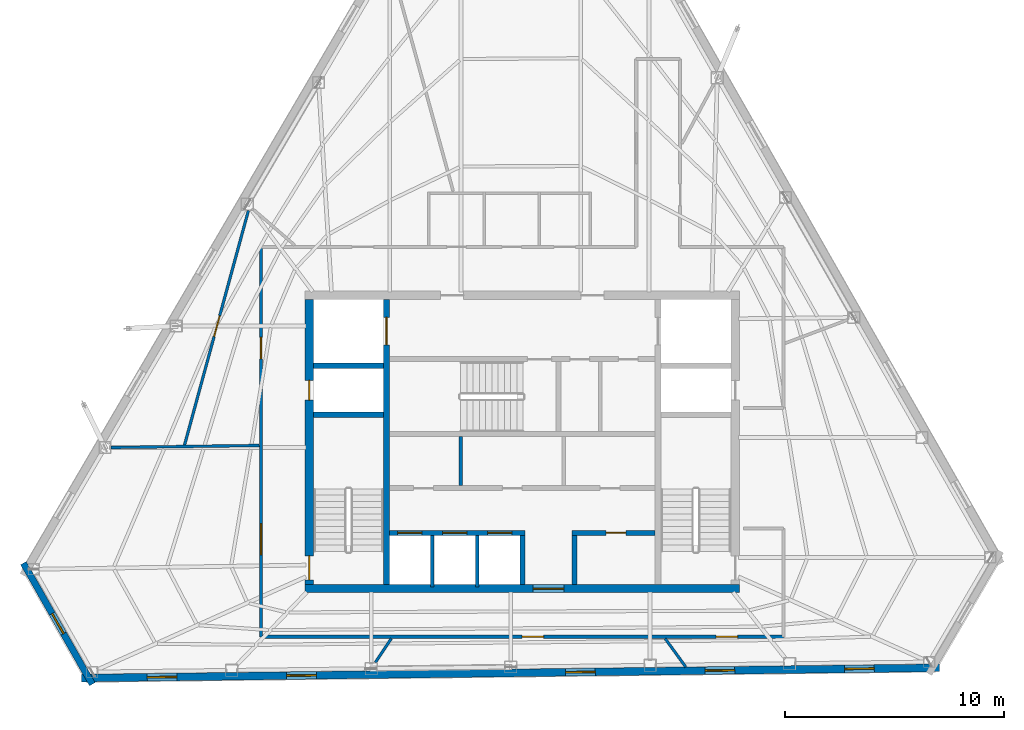
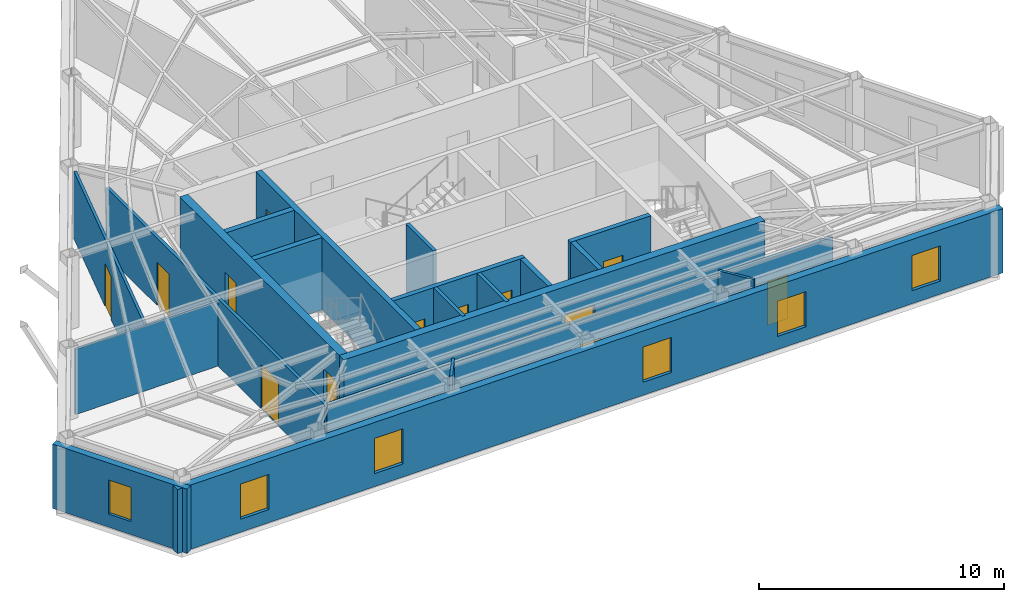
# One storey, part 7 of 10: 20 walls, 13 doors, 6 windows, 19 openings.
"""IFC4 building model written with IfcOpenShell, lengths in metres."""

import ifcopenshell
import ifcopenshell.guid

model = None  # the IFC model being written
_history = None  # IfcOwnerHistory: only IFC2X3 demands one
_inside = {}  # id of a spatial element -> (the spatial element, [elements in it])
_under = {}  # id of a project, library or spatial element -> (it, [spatial elements below it])
_declared = {}  # id of a project -> (the project, [libraries it declares])
_typed = {}  # id of a type object -> (the type object, [elements of that type])
_made_of = {}  # id of a material, layer set ... -> (it, [elements and type objects made of it])


def new_model(schema):
    """Start an empty IFC model of exactly this schema.

    Asked for "IFC4X3", IfcOpenShell would pick the latest addendum, in which some entities
    have other attributes; the version numbers below select the first issue.
    IFC2X3 requires an IfcOwnerHistory on every rooted entity: one is made here for all.
    """
    global model, _history
    if schema == "IFC4X3":
        model = ifcopenshell.file(schema_version=(4, 3, 0, 0))
    else:
        model = ifcopenshell.file(schema=schema)
    _inside.clear()
    _under.clear()
    _declared.clear()
    _typed.clear()
    _made_of.clear()
    _history = None
    if model.schema == "IFC2X3":
        org = make("IfcOrganization", Name="unknown")
        user = make(
            "IfcPersonAndOrganization",
            ThePerson=make("IfcPerson", FamilyName="unknown"),
            TheOrganization=org,
        )
        app = make(
            "IfcApplication",
            ApplicationDeveloper=org,
            Version="unknown",
            ApplicationFullName="unknown",
            ApplicationIdentifier="unknown",
        )
        _history = make(
            "IfcOwnerHistory",
            OwningUser=user,
            OwningApplication=app,
            ChangeAction="ADDED",
            CreationDate=0,
        )
    return model


def make(cls, **values):
    """One entity of the class cls with the attributes given. An attribute that is None is left unset."""
    return model.create_entity(
        cls, **{name: value for name, value in values.items() if value is not None}
    )


def rooted(cls, **values):
    """An entity with a GlobalId (a new one), such as an element, a storey or a relation."""
    return make(cls, GlobalId=ifcopenshell.guid.new(), OwnerHistory=_history, **values)


def si_unit(unit_type, name, prefix=None):
    """IfcSIUnit, for example si_unit("LENGTHUNIT", "METRE", prefix="MILLI")."""
    return make("IfcSIUnit", UnitType=unit_type, Prefix=prefix, Name=name)


def assignment(units):
    """IfcUnitAssignment: the units of a project."""
    return None if units is None else make("IfcUnitAssignment", Units=units)


def point(xyz):
    """IfcCartesianPoint."""
    return None if xyz is None else make("IfcCartesianPoint", Coordinates=xyz)


def direction(xyz):
    """IfcDirection."""
    return None if xyz is None else make("IfcDirection", DirectionRatios=xyz)


def frame(location, z_axis=None, x_axis=None):
    """IfcAxis2Placement3D, a coordinate frame: its origin and axes. An axis left out is left unset."""
    return make(
        "IfcAxis2Placement3D",
        Location=point(location),
        Axis=direction(z_axis),
        RefDirection=direction(x_axis),
    )


def frame_2d(location, x_axis=None):
    """IfcAxis2Placement2D, a coordinate frame in the plane: its origin and x axis."""
    return make(
        "IfcAxis2Placement2D", Location=point(location), RefDirection=direction(x_axis)
    )


def origin():
    """The frame at (0, 0, 0) with its axes left unset."""
    return frame((0.0, 0.0, 0.0))


def place(relative_to, where):
    """IfcLocalPlacement: puts the frame where relative to a parent placement (None: the world)."""
    return make(
        "IfcLocalPlacement", PlacementRelTo=relative_to, RelativePlacement=where
    )


def context(
    kind, dimensions, precision=None, world=None, true_north=None, identifier=None
):
    """IfcGeometricRepresentationContext, for example the 3D "Model" context."""
    return make(
        "IfcGeometricRepresentationContext",
        ContextIdentifier=identifier,
        ContextType=kind,
        CoordinateSpaceDimension=dimensions,
        Precision=precision,
        WorldCoordinateSystem=world,
        TrueNorth=true_north,
    )


def subcontext(parent, identifier, kind, view, scale=None):
    """IfcGeometricRepresentationSubContext, for example "Body" below "Model"."""
    return make(
        "IfcGeometricRepresentationSubContext",
        ContextIdentifier=identifier,
        ContextType=kind,
        ParentContext=parent,
        TargetScale=scale,
        TargetView=view,
    )


def project(units=None, contexts=None):
    """IfcProject with its units and contexts."""
    return rooted(
        "IfcProject",
        Name="project",
        RepresentationContexts=contexts,
        UnitsInContext=assignment(units),
    )


def spatial(cls, under=None, at=None, **own):
    """A site, building, storey or space (cls), placed at a placement, below another one or the project."""
    s = rooted(cls, ObjectPlacement=at, **own)
    if under is not None:
        _under.setdefault(under.id(), (under, []))[1].append(s)
    return s


def profile(cls, at=None, kind="AREA", **sizes):
    """A parametric profile (cls). Its sizes go by their IFC names, for example OverallWidth=200.0."""
    return make(cls, ProfileType=kind, Position=at, **sizes)


def rectangle(**sizes):
    """IfcRectangleProfileDef."""
    return profile("IfcRectangleProfileDef", **sizes)


def extrude(swept, where, along, depth):
    """IfcExtrudedAreaSolid: the profile swept, set in the frame where, extruded along a direction by depth."""
    return make(
        "IfcExtrudedAreaSolid",
        SweptArea=swept,
        Position=where,
        ExtrudedDirection=direction(along),
        Depth=depth,
    )


def shape(context_of_items, identifier, shape_type, items):
    """IfcShapeRepresentation: the items that make up one representation, for example the "Body"."""
    return make(
        "IfcShapeRepresentation",
        ContextOfItems=context_of_items,
        RepresentationIdentifier=identifier,
        RepresentationType=shape_type,
        Items=items,
    )


def material(Name=None, Category=None):
    """IfcMaterial."""
    return make("IfcMaterial", Name=Name, Category=Category)


def layer(
    of_material, thickness, ventilated=None, Name=None, Category=None, Priority=None
):
    """IfcMaterialLayer: one layer of a wall or slab, of a material (None: an air gap)."""
    return make(
        "IfcMaterialLayer",
        Material=of_material,
        LayerThickness=thickness,
        IsVentilated=ventilated,
        Name=Name,
        Category=Category,
        Priority=Priority,
    )


def layer_set(layers, Name=None):
    """IfcMaterialLayerSet."""
    return make("IfcMaterialLayerSet", MaterialLayers=layers, LayerSetName=Name)


def made_of(thing, what):
    """Note that an element or type object is made of a material, layer set ...; save() writes the relation."""
    if what is not None:
        _made_of.setdefault(what.id(), (what, []))[1].append(thing)
    return thing


def type_object(cls, material=None, **own):
    """A type object (cls), such as IfcWallType, which elements share."""
    return made_of(rooted(cls, **own), material)


def element(
    cls,
    number,
    at=None,
    inside=None,
    cuts=None,
    type_object=None,
    material=None,
    context=None,
    identifier="Body",
    shape_type=None,
    held_by="IfcProductDefinitionShape",
    body=None,
    shapes=None,
    **own,
):
    """One element of the class cls, such as IfcWall. Its Tag is "e" and its number.

    at: its placement. inside: the storey or other place that contains it. cuts: it is an
    opening in that element (IfcRelVoidsElement). A single representation is given by context,
    identifier, shape_type and body (its items); several are given by shapes. held_by: the class
    of the entity that holds the representations. save() writes the other relations.
    """
    e = rooted(cls, Tag="e%d" % number, ObjectPlacement=at, **own)
    if body is not None:
        shapes = [shape(context, identifier, shape_type, body)]
    if shapes is not None:
        e.Representation = make(held_by, Representations=shapes)
    if inside is not None:
        _inside.setdefault(inside.id(), (inside, []))[1].append(e)
    if cuts is not None:
        rooted(
            "IfcRelVoidsElement", RelatingBuildingElement=cuts, RelatedOpeningElement=e
        )
    if type_object is not None:
        _typed.setdefault(type_object.id(), (type_object, []))[1].append(e)
    return made_of(e, material)


def fill(opening, filler):
    """IfcRelFillsElement: the door or window that sits in an opening."""
    return rooted(
        "IfcRelFillsElement",
        RelatingOpeningElement=opening,
        RelatedBuildingElement=filler,
    )


def aggregate(whole, parts):
    """IfcRelAggregates: a whole, such as a stair, and the parts it consists of."""
    return rooted("IfcRelAggregates", RelatingObject=whole, RelatedObjects=parts)


def save(model, path):
    """Write the relations noted so far, then the file.

    IfcRelAggregates (storeys below a building ...), IfcRelContainedInSpatialStructure (elements
    in a storey), IfcRelDefinesByType, IfcRelAssociatesMaterial and IfcRelDeclares: one each for
    every whole, place, type object, material and project.
    """
    for whole, parts in _under.values():
        aggregate(whole, parts)
    for where, things in _inside.values():
        rooted(
            "IfcRelContainedInSpatialStructure",
            RelatedElements=things,
            RelatingStructure=where,
        )
    for kind, things in _typed.values():
        rooted("IfcRelDefinesByType", RelatedObjects=things, RelatingType=kind)
    for what, things in _made_of.values():
        rooted("IfcRelAssociatesMaterial", RelatedObjects=things, RelatingMaterial=what)
    for by, libraries in _declared.values():
        rooted("IfcRelDeclares", RelatingContext=by, RelatedDefinitions=libraries)
    model.write(path)


model = new_model("IFC4")

# Units and contexts
model_context = context("Model", 3, precision=1e-05, world=origin(), true_north=direction((0.0, 1.0)))
body_context = subcontext(model_context, "Body", "Model", "MODEL_VIEW")
ifc_project = project(units=[si_unit("LENGTHUNIT", "METRE"), si_unit("AREAUNIT", "SQUARE_METRE"), si_unit("VOLUMEUNIT", "CUBIC_METRE"), si_unit("PLANEANGLEUNIT", "RADIAN"), si_unit("MASSUNIT", "GRAM", prefix="KILO")], contexts=[model_context])

# Site, building, storey
site_placement = place(None, origin())
site = spatial("IfcSite", under=ifc_project, at=site_placement, CompositionType="ELEMENT")
building_placement = place(site_placement, origin())
building = spatial("IfcBuilding", under=site, at=building_placement, Name="Kavelnor Concourse Tower", CompositionType="ELEMENT")
storey_placement = place(building_placement, frame((0.0, 0.0, 289.550048828125)))
storey = spatial("IfcBuildingStorey", under=building, at=storey_placement, Name="L73", CompositionType="ELEMENT", Elevation=289.550048828125)

# Wall, opening, door
ifc_material_1 = material(Name="Concrete C50/60", Category="concrete")
ifc_layer_1 = layer(ifc_material_1, 0.3798828125, Name="Concrete C50/60")
ifc_layer_set_1 = layer_set([ifc_layer_1], Name="Concrete C50/60")
wall_type_1 = type_object("IfcWallType", Name="WL-CORE-Z4-380", PredefinedType="SOLIDWALL", material=ifc_layer_set_1)
wall_1_placement = place(storey_placement, frame((28.10009765625, 9.409912109375, 0.0), z_axis=(0.0, 0.0, 1.0), x_axis=(1.0, 0.0, 0.0)))
wall_1 = element("IfcWall", 1, at=wall_1_placement, inside=storey, type_object=wall_type_1, Name="L73 Central Core South Shear Wall", PredefinedType="SOLIDWALL", context=body_context, shape_type="SweptSolid", body=[
    extrude(rectangle(XDim=19.7998046875, YDim=0.3798828125, at=frame_2d((9.89990234375, 0.0))), origin(), (0.0, 0.0, 1.0), 3.60986328125),
])
opening_1_placement = place(wall_1_placement, frame((10.39990234375, 0.0, 0.0)))
opening_1 = element("IfcOpeningElement", 2, at=opening_1_placement, cuts=wall_1, Name="Opening SD-140", PredefinedType="OPENING", context=body_context, shape_type="SweptSolid", body=[
    extrude(rectangle(XDim=1.39990234375, YDim=2.199951171875, at=frame_2d((0.699951171875, 1.10009765625))), frame((0.0, 0.199951171875, 0.0), z_axis=(0.0, -1.0, 0.0), x_axis=(1.0, 0.0, 0.0)), (0.0, 0.0, 1.0), 0.39990234375),
])
ifc_material_2 = material(Name="Solid-core hardwood timber", Category="wood")
door_type_1 = type_object("IfcDoorType", Name="DR-SUITE-ENTRY-1400", OperationType="NOTDEFINED", PredefinedType="DOOR", material=ifc_material_2)
door_1_placement = place(opening_1_placement, origin())
door_1 = element("IfcDoor", 3, at=door_1_placement, inside=storey, type_object=door_type_1, Name="L73 Passenger Lift Lobby Entry Door", OperationType="SINGLE_SWING_RIGHT", OverallHeight=2.199951171875, OverallWidth=1.39990234375, PredefinedType="DOOR", context=body_context, shape_type="SweptSolid", body=[
    extrude(rectangle(XDim=1.39990234375, YDim=2.199951171875, at=frame_2d((0.699951171875, 1.10009765625))), frame((0.0, 0.02490234375, 0.0), z_axis=(0.0, -1.0, 0.0), x_axis=(1.0, 0.0, 0.0)), (0.0, 0.0, 1.0), 0.050048828125),
])
fill(opening_1, door_1)

# Wall, openings, doors
wall_2_placement = place(storey_placement, frame((28.2900390625, 9.60009765625, 0.0), z_axis=(0.0, 0.0, 1.0), x_axis=(0.0, 1.0, 0.0)))
wall_2 = element("IfcWall", 4, at=wall_2_placement, inside=storey, type_object=wall_type_1, Name="L73 Central Core West Shear Wall", PredefinedType="SOLIDWALL", context=body_context, shape_type="SweptSolid", body=[
    extrude(rectangle(XDim=13.0, YDim=0.3798828125, at=frame_2d((6.5, 0.0))), origin(), (0.0, 0.0, 1.0), 3.60986328125),
])
opening_2_placement = place(wall_2_placement, frame((0.199951171875, 0.0, 0.0)))
opening_2 = element("IfcOpeningElement", 5, at=opening_2_placement, cuts=wall_2, Name="Opening FD-110", PredefinedType="OPENING", context=body_context, shape_type="SweptSolid", body=[
    extrude(rectangle(XDim=1.10009765625, YDim=2.14990234375, at=frame_2d((0.550048828125, 1.074951171875))), frame((0.0, 0.199951171875, 0.0), z_axis=(0.0, -1.0, 0.0), x_axis=(1.0, 0.0, 0.0)), (0.0, 0.0, 1.0), 0.39990234375),
])
opening_3_placement = place(wall_2_placement, frame((8.39990234375, 0.0, 0.0)))
opening_3 = element("IfcOpeningElement", 6, at=opening_3_placement, cuts=wall_2, Name="Opening FD-090", PredefinedType="OPENING", context=body_context, shape_type="SweptSolid", body=[
    extrude(rectangle(XDim=0.89990234375, YDim=2.10009765625, at=frame_2d((0.449951171875, 1.050048828125))), frame((0.0, 0.199951171875, 0.0), z_axis=(0.0, -1.0, 0.0), x_axis=(1.0, 0.0, 0.0)), (0.0, 0.0, 1.0), 0.39990234375),
])
ifc_material_3 = material(Name="Steel Grade 350", Category="steel")
door_type_2 = type_object("IfcDoorType", Name="DR-RISER-FIRE-900", OperationType="NOTDEFINED", PredefinedType="DOOR", material=ifc_material_3)
door_2_placement = place(opening_3_placement, origin())
door_2 = element("IfcDoor", 7, at=door_2_placement, inside=storey, type_object=door_type_2, Name="L73 West Riser Access Door", OperationType="SINGLE_SWING_RIGHT", OverallHeight=2.10009765625, OverallWidth=0.89990234375, PredefinedType="DOOR", context=body_context, shape_type="SweptSolid", body=[
    extrude(rectangle(XDim=0.89990234375, YDim=2.10009765625, at=frame_2d((0.449951171875, 1.050048828125))), frame((0.0, 0.02490234375, 0.0), z_axis=(0.0, -1.0, 0.0), x_axis=(1.0, 0.0, 0.0)), (0.0, 0.0, 1.0), 0.050048828125),
])
fill(opening_3, door_2)
door_type_3 = type_object("IfcDoorType", Name="DR-STAIR-FIRE-1100", OperationType="NOTDEFINED", PredefinedType="DOOR", material=ifc_material_3)
door_3_placement = place(opening_2_placement, origin())
door_3 = element("IfcDoor", 8, at=door_3_placement, inside=storey, type_object=door_type_3, Name="L73 Stair ST1 Fire Door", OperationType="SINGLE_SWING_LEFT", OverallHeight=2.14990234375, OverallWidth=1.10009765625, PredefinedType="DOOR", context=body_context, shape_type="SweptSolid", body=[
    extrude(rectangle(XDim=1.10009765625, YDim=2.14990234375, at=frame_2d((0.550048828125, 1.074951171875))), frame((0.0, 0.02490234375, 0.0), z_axis=(0.0, -1.0, 0.0), x_axis=(1.0, 0.0, 0.0)), (0.0, 0.0, 1.0), 0.050048828125),
])
fill(opening_2, door_3)

# Wall, opening, window
ifc_material_4 = material(Name="Buff ironspot clay face brick masonry", Category="masonry")
ifc_layer_2 = layer(ifc_material_4, 0.300048828125, Name="Buff ironspot clay face brick masonry")
ifc_layer_set_2 = layer_set([ifc_layer_2], Name="Buff ironspot clay face brick masonry")
wall_type_2 = type_object("IfcWallType", Name="WL-EXT-BUFF-BRICK-FOLD-300", PredefinedType="STANDARD", material=ifc_layer_set_2)
wall_3_placement = place(storey_placement, frame((18.397216796875, 5.049560546875, 0.0), z_axis=(0.0, 0.0, 1.0), x_axis=(-0.494760013266, 0.869029648098, 0.0)))
wall_3 = element("IfcWall", 9, at=wall_3_placement, inside=storey, type_object=wall_type_2, Name="L73 Exterior Brick Facade Wall E2", PredefinedType="STANDARD", context=body_context, shape_type="SweptSolid", body=[
    extrude(rectangle(XDim=6.352294921875, YDim=0.300048828125, at=frame_2d((3.17626953125, 0.0))), origin(), (0.0, 0.0, 1.0), 3.196044921875),
])
opening_4_placement = place(wall_3_placement, frame((2.651123046875, 0.0, 0.64990234375)))
opening_4 = element("IfcOpeningElement", 10, at=opening_4_placement, cuts=wall_3, Name="Opening W-06", PredefinedType="OPENING", context=body_context, shape_type="SweptSolid", body=[
    extrude(rectangle(XDim=1.050048828125, YDim=1.699951171875, at=frame_2d((0.52490234375, 0.85009765625))), frame((0.0, 0.16015625, 0.0), z_axis=(0.0, -1.0, 0.0), x_axis=(1.0, 0.0, 0.0)), (0.0, 0.0, 1.0), 0.320068359375),
])
ifc_material_5 = material(Name="Double low-E argon insulated glazing", Category="glass")
window_type_1 = type_object("IfcWindowType", Name="WIN-FOLD-1050", PartitioningType="SINGLE_PANEL", PredefinedType="WINDOW", material=ifc_material_5)
window_1_placement = place(opening_4_placement, origin())
window_1 = element("IfcWindow", 11, at=window_1_placement, inside=storey, type_object=window_type_1, Name="L73 Chamfer-Fold Facet Window C1", OverallHeight=1.699951171875, OverallWidth=1.050048828125, PartitioningType="SINGLE_PANEL", PredefinedType="WINDOW", context=body_context, shape_type="SweptSolid", body=[
    extrude(rectangle(XDim=1.050048828125, YDim=1.699951171875, at=frame_2d((0.52490234375, 0.85009765625))), frame((0.0, 0.030029296875, 0.0), z_axis=(0.0, -1.0, 0.0), x_axis=(1.0, 0.0, 0.0)), (0.0, 0.0, 1.0), 0.06005859375),
])
fill(opening_4, window_1)

# Wall, openings, windows
ifc_material_6 = material(Name="Red-ochre clay face brick masonry", Category="masonry")
ifc_layer_3 = layer(ifc_material_6, 0.35009765625, Name="Red-ochre clay face brick masonry")
ifc_layer_set_3 = layer_set([ifc_layer_3], Name="Red-ochre clay face brick masonry")
wall_type_3 = type_object("IfcWallType", Name="WL-EXT-RED-BRICK-PIER-350", PredefinedType="STANDARD", material=ifc_layer_set_3)
wall_4_placement = place(storey_placement, frame((57.028076171875, 5.7958984375, 0.0), z_axis=(0.0, 0.0, 1.0), x_axis=(-0.999928125145, -0.011989351295, 0.0)))
wall_4 = element("IfcWall", 12, at=wall_4_placement, inside=storey, type_object=wall_type_3, Name="L73 Exterior Brick Facade Wall E3", PredefinedType="STANDARD", context=body_context, shape_type="SweptSolid", body=[
    extrude(rectangle(XDim=39.11767578125, YDim=0.35009765625, at=frame_2d((19.558837890625, 0.0))), origin(), (0.0, 0.0, 1.0), 3.196044921875),
])
opening_5_placement = place(wall_4_placement, frame((34.779296875, 0.0, 0.64990234375)))
opening_5 = element("IfcOpeningElement", 13, at=opening_5_placement, cuts=wall_4, Name="Opening W-04", PredefinedType="OPENING", context=body_context, shape_type="SweptSolid", body=[
    extrude(rectangle(XDim=1.35009765625, YDim=1.75, at=frame_2d((0.675048828125, 0.875))), frame((0.0, 0.18505859375, 0.0), z_axis=(0.0, -1.0, 0.0), x_axis=(1.0, 0.0, 0.0)), (0.0, 0.0, 1.0), 0.3701171875),
])
opening_6_placement = place(wall_4_placement, frame((28.418701171875, 0.0, 0.64990234375)))
opening_6 = element("IfcOpeningElement", 14, at=opening_6_placement, cuts=wall_4, Name="Opening W-04", PredefinedType="OPENING", context=body_context, shape_type="SweptSolid", body=[
    extrude(rectangle(XDim=1.35009765625, YDim=1.75, at=frame_2d((0.675048828125, 0.875))), frame((0.0, 0.18505859375, 0.0), z_axis=(0.0, -1.0, 0.0), x_axis=(1.0, 0.0, 0.0)), (0.0, 0.0, 1.0), 0.3701171875),
])
opening_7_placement = place(wall_4_placement, frame((15.69775390625, 0.0, 0.64990234375)))
opening_7 = element("IfcOpeningElement", 15, at=opening_7_placement, cuts=wall_4, Name="Opening W-04", PredefinedType="OPENING", context=body_context, shape_type="SweptSolid", body=[
    extrude(rectangle(XDim=1.35009765625, YDim=1.75, at=frame_2d((0.675048828125, 0.875))), frame((0.0, 0.18505859375, 0.0), z_axis=(0.0, -1.0, 0.0), x_axis=(1.0, 0.0, 0.0)), (0.0, 0.0, 1.0), 0.3701171875),
])
opening_8_placement = place(wall_4_placement, frame((9.337158203125, 0.0, 0.64990234375)))
opening_8 = element("IfcOpeningElement", 16, at=opening_8_placement, cuts=wall_4, Name="Opening W-04", PredefinedType="OPENING", context=body_context, shape_type="SweptSolid", body=[
    extrude(rectangle(XDim=1.35009765625, YDim=1.75, at=frame_2d((0.675048828125, 0.875))), frame((0.0, 0.18505859375, 0.0), z_axis=(0.0, -1.0, 0.0), x_axis=(1.0, 0.0, 0.0)), (0.0, 0.0, 1.0), 0.3701171875),
])
opening_9_placement = place(wall_4_placement, frame((2.976806640625, 0.0, 0.64990234375)))
opening_9 = element("IfcOpeningElement", 17, at=opening_9_placement, cuts=wall_4, Name="Opening W-04", PredefinedType="OPENING", context=body_context, shape_type="SweptSolid", body=[
    extrude(rectangle(XDim=1.35009765625, YDim=1.75, at=frame_2d((0.675048828125, 0.875))), frame((0.0, 0.18505859375, 0.0), z_axis=(0.0, -1.0, 0.0), x_axis=(1.0, 0.0, 0.0)), (0.0, 0.0, 1.0), 0.3701171875),
])
window_type_2 = type_object("IfcWindowType", Name="WIN-PIER-Z4-1350", PartitioningType="SINGLE_PANEL", PredefinedType="WINDOW", material=ifc_material_5)
window_2_placement = place(opening_5_placement, origin())
window_2 = element("IfcWindow", 18, at=window_2_placement, inside=storey, type_object=window_type_2, Name="L73 Deep-Set Brick Pier Window F1-B0", OverallHeight=1.75, OverallWidth=1.35009765625, PartitioningType="SINGLE_PANEL", PredefinedType="WINDOW", context=body_context, shape_type="SweptSolid", body=[
    extrude(rectangle(XDim=1.35009765625, YDim=1.75, at=frame_2d((0.675048828125, 0.875))), frame((0.0, 0.030029296875, 0.0), z_axis=(0.0, -1.0, 0.0), x_axis=(1.0, 0.0, 0.0)), (0.0, 0.0, 1.0), 0.06005859375),
])
fill(opening_5, window_2)
window_3_placement = place(opening_6_placement, origin())
window_3 = element("IfcWindow", 19, at=window_3_placement, inside=storey, type_object=window_type_2, Name="L73 Deep-Set Brick Pier Window F1-B1", OverallHeight=1.75, OverallWidth=1.35009765625, PartitioningType="SINGLE_PANEL", PredefinedType="WINDOW", context=body_context, shape_type="SweptSolid", body=[
    extrude(rectangle(XDim=1.35009765625, YDim=1.75, at=frame_2d((0.675048828125, 0.875))), frame((0.0, 0.030029296875, 0.0), z_axis=(0.0, -1.0, 0.0), x_axis=(1.0, 0.0, 0.0)), (0.0, 0.0, 1.0), 0.06005859375),
])
fill(opening_6, window_3)
window_4_placement = place(opening_7_placement, origin())
window_4 = element("IfcWindow", 20, at=window_4_placement, inside=storey, type_object=window_type_2, Name="L73 Deep-Set Brick Pier Window F1-B3", OverallHeight=1.75, OverallWidth=1.35009765625, PartitioningType="SINGLE_PANEL", PredefinedType="WINDOW", context=body_context, shape_type="SweptSolid", body=[
    extrude(rectangle(XDim=1.35009765625, YDim=1.75, at=frame_2d((0.675048828125, 0.875))), frame((0.0, 0.030029296875, 0.0), z_axis=(0.0, -1.0, 0.0), x_axis=(1.0, 0.0, 0.0)), (0.0, 0.0, 1.0), 0.06005859375),
])
fill(opening_7, window_4)
window_5_placement = place(opening_8_placement, origin())
window_5 = element("IfcWindow", 21, at=window_5_placement, inside=storey, type_object=window_type_2, Name="L73 Deep-Set Brick Pier Window F1-B4", OverallHeight=1.75, OverallWidth=1.35009765625, PartitioningType="SINGLE_PANEL", PredefinedType="WINDOW", context=body_context, shape_type="SweptSolid", body=[
    extrude(rectangle(XDim=1.35009765625, YDim=1.75, at=frame_2d((0.675048828125, 0.875))), frame((0.0, 0.030029296875, 0.0), z_axis=(0.0, -1.0, 0.0), x_axis=(1.0, 0.0, 0.0)), (0.0, 0.0, 1.0), 0.06005859375),
])
fill(opening_8, window_5)
window_6_placement = place(opening_9_placement, origin())
window_6 = element("IfcWindow", 22, at=window_6_placement, inside=storey, type_object=window_type_2, Name="L73 Deep-Set Brick Pier Window F1-B5", OverallHeight=1.75, OverallWidth=1.35009765625, PartitioningType="SINGLE_PANEL", PredefinedType="WINDOW", context=body_context, shape_type="SweptSolid", body=[
    extrude(rectangle(XDim=1.35009765625, YDim=1.75, at=frame_2d((0.675048828125, 0.875))), frame((0.0, 0.030029296875, 0.0), z_axis=(0.0, -1.0, 0.0), x_axis=(1.0, 0.0, 0.0)), (0.0, 0.0, 1.0), 0.06005859375),
])
fill(opening_9, window_6)

# Wall, openings, doors
ifc_material_7 = material(Name="Gypsum plasterboard on light-gauge steel studs", Category="steel")
ifc_layer_4 = layer(ifc_material_7, 0.14501953125, Name="Gypsum plasterboard on light-gauge steel studs")
ifc_layer_set_4 = layer_set([ifc_layer_4], Name="Gypsum plasterboard on light-gauge steel studs")
wall_type_4 = type_object("IfcWallType", Name="WL-INT-CORR-145", PredefinedType="PARTITIONING", material=ifc_layer_set_4)
wall_5_placement = place(storey_placement, frame((49.909912109375, 7.2099609375, 0.0), z_axis=(0.0, 0.0, 1.0), x_axis=(-1.0, 0.0, 0.0)))
wall_5 = element("IfcWall", 23, at=wall_5_placement, inside=storey, type_object=wall_type_4, Name="L73 Corridor Wall WL-L73-CR-09", PredefinedType="PARTITIONING", context=body_context, shape_type="SweptSolid", body=[
    extrude(rectangle(XDim=23.81982421875, YDim=0.14501953125, at=frame_2d((11.909912109375, 0.0))), origin(), (0.0, 0.0, 1.0), 3.348876953125),
])
opening_10_placement = place(wall_5_placement, frame((10.932373046875, 0.0, 0.0)))
opening_10 = element("IfcOpeningElement", 24, at=opening_10_placement, cuts=wall_5, Name="Opening OD-098", PredefinedType="OPENING", context=body_context, shape_type="SweptSolid", body=[
    extrude(rectangle(XDim=0.97998046875, YDim=2.14990234375, at=frame_2d((0.489990234375, 1.074951171875))), frame((0.0, 0.08251953125, 0.0), z_axis=(0.0, -1.0, 0.0), x_axis=(1.0, 0.0, 0.0)), (0.0, 0.0, 1.0), 0.1650390625),
])
opening_11_placement = place(wall_5_placement, frame((2.085693359375, 0.0, 0.0)))
opening_11 = element("IfcOpeningElement", 25, at=opening_11_placement, cuts=wall_5, Name="Opening OD-098", PredefinedType="OPENING", context=body_context, shape_type="SweptSolid", body=[
    extrude(rectangle(XDim=0.97998046875, YDim=2.14990234375, at=frame_2d((0.489990234375, 1.074951171875))), frame((0.0, 0.08251953125, 0.0), z_axis=(0.0, -1.0, 0.0), x_axis=(1.0, 0.0, 0.0)), (0.0, 0.0, 1.0), 0.1650390625),
])
door_type_4 = type_object("IfcDoorType", Name="DR-OFFICE-980", OperationType="NOTDEFINED", PredefinedType="DOOR", material=ifc_material_2)
door_4_placement = place(opening_10_placement, origin())
door_4 = element("IfcDoor", 26, at=door_4_placement, inside=storey, type_object=door_type_4, Name="L73 Workplace Open Office 07 Door", OperationType="SINGLE_SWING_LEFT", OverallHeight=2.14990234375, OverallWidth=0.97998046875, PredefinedType="DOOR", context=body_context, shape_type="SweptSolid", body=[
    extrude(rectangle(XDim=0.97998046875, YDim=2.14990234375, at=frame_2d((0.489990234375, 1.074951171875))), frame((0.0, 0.02490234375, 0.0), z_axis=(0.0, -1.0, 0.0), x_axis=(1.0, 0.0, 0.0)), (0.0, 0.0, 1.0), 0.050048828125),
])
fill(opening_10, door_4)
door_5_placement = place(opening_11_placement, origin())
door_5 = element("IfcDoor", 27, at=door_5_placement, inside=storey, type_object=door_type_4, Name="L73 Building Staff Breakroom 08 Door", OperationType="SINGLE_SWING_RIGHT", OverallHeight=2.14990234375, OverallWidth=0.97998046875, PredefinedType="DOOR", context=body_context, shape_type="SweptSolid", body=[
    extrude(rectangle(XDim=0.97998046875, YDim=2.14990234375, at=frame_2d((0.489990234375, 1.074951171875))), frame((0.0, 0.02490234375, 0.0), z_axis=(0.0, -1.0, 0.0), x_axis=(1.0, 0.0, 0.0)), (0.0, 0.0, 1.0), 0.050048828125),
])
fill(opening_11, door_5)

wall_6_placement = place(storey_placement, frame((26.090087890625, 7.2099609375, 0.0), z_axis=(0.0, 0.0, 1.0), x_axis=(0.0, 1.0, 0.0)))
wall_6 = element("IfcWall", 28, at=wall_6_placement, inside=storey, type_object=wall_type_4, Name="L73 Corridor Wall WL-L73-CR-10", PredefinedType="PARTITIONING", context=body_context, shape_type="SweptSolid", body=[
    extrude(rectangle(XDim=17.780029296875, YDim=0.14501953125, at=frame_2d((8.89013671875, 0.0))), origin(), (0.0, 0.0, 1.0), 3.348876953125),
])
opening_12_placement = place(wall_6_placement, frame((12.67626953125, 0.0, 0.0)))
opening_12 = element("IfcOpeningElement", 29, at=opening_12_placement, cuts=wall_6, Name="Opening OD-098", PredefinedType="OPENING", context=body_context, shape_type="SweptSolid", body=[
    extrude(rectangle(XDim=0.97998046875, YDim=2.14990234375, at=frame_2d((0.489990234375, 1.074951171875))), frame((0.0, 0.08251953125, 0.0), z_axis=(0.0, -1.0, 0.0), x_axis=(1.0, 0.0, 0.0)), (0.0, 0.0, 1.0), 0.1650390625),
])
opening_13_placement = place(wall_6_placement, frame((3.74755859375, 0.0, 0.0)))
opening_13 = element("IfcOpeningElement", 30, at=opening_13_placement, cuts=wall_6, Name="Opening SD-140", PredefinedType="OPENING", context=body_context, shape_type="SweptSolid", body=[
    extrude(rectangle(XDim=1.39990234375, YDim=2.199951171875, at=frame_2d((0.699951171875, 1.10009765625))), frame((0.0, 0.08251953125, 0.0), z_axis=(0.0, -1.0, 0.0), x_axis=(1.0, 0.0, 0.0)), (0.0, 0.0, 1.0), 0.1650390625),
])
door_6_placement = place(opening_12_placement, origin())
door_6 = element("IfcDoor", 31, at=door_6_placement, inside=storey, type_object=door_type_4, Name="L73 Client Concierge 04 Door", OperationType="SINGLE_SWING_RIGHT", OverallHeight=2.14990234375, OverallWidth=0.97998046875, PredefinedType="DOOR", context=body_context, shape_type="SweptSolid", body=[
    extrude(rectangle(XDim=0.97998046875, YDim=2.14990234375, at=frame_2d((0.489990234375, 1.074951171875))), frame((0.0, 0.02490234375, 0.0), z_axis=(0.0, -1.0, 0.0), x_axis=(1.0, 0.0, 0.0)), (0.0, 0.0, 1.0), 0.050048828125),
])
fill(opening_12, door_6)
door_7_placement = place(opening_13_placement, origin())
door_7 = element("IfcDoor", 32, at=door_7_placement, inside=storey, type_object=door_type_1, Name="L73 Client Concierge 06 Door", OperationType="SINGLE_SWING_RIGHT", OverallHeight=2.199951171875, OverallWidth=1.39990234375, PredefinedType="DOOR", context=body_context, shape_type="SweptSolid", body=[
    extrude(rectangle(XDim=1.39990234375, YDim=2.199951171875, at=frame_2d((0.699951171875, 1.10009765625))), frame((0.0, 0.02490234375, 0.0), z_axis=(0.0, -1.0, 0.0), x_axis=(1.0, 0.0, 0.0)), (0.0, 0.0, 1.0), 0.050048828125),
])
fill(opening_13, door_7)

# Walls
ifc_layer_5 = layer(ifc_material_7, 0.1650390625, Name="Gypsum plasterboard on light-gauge steel studs")
ifc_layer_set_5 = layer_set([ifc_layer_5], Name="Gypsum plasterboard on light-gauge steel studs")
wall_type_5 = type_object("IfcWallType", Name="WL-INT-FIRE-165", PredefinedType="PARTITIONING", material=ifc_layer_set_5)
for number, where, z_axis, x_axis, name in (
    (33, (33.89990234375, 9.489990234375, 0.0), (0.0, 0.0, 1.0), (0.0, 1.0, 0.0), "L73 Lift Shaft Divider LP7"),
    (34, (35.949951171875, 9.489990234375, 0.0), (0.0, 0.0, 1.0), (0.0, 1.0, 0.0), "L73 Lift Shaft Divider LP8"),
):
    element("IfcWall", number, at=place(storey_placement, frame(where, z_axis=z_axis, x_axis=x_axis)), inside=storey, type_object=wall_type_5, Name=name, PredefinedType="PARTITIONING", context=body_context, shape_type="SweptSolid", body=[
        extrude(rectangle(XDim=2.35009765625, YDim=0.1650390625, at=frame_2d((1.175048828125, 0.0))), origin(), (0.0, 0.0, 1.0), 3.60986328125),
    ])
wall_7_placement = place(storey_placement, frame((35.199951171875, 14.10009765625, 0.0), z_axis=(0.0, 0.0, 1.0), x_axis=(0.0, 1.0, 0.0)))
element("IfcWall", 35, at=wall_7_placement, inside=storey, type_object=wall_type_5, Name="L73 Reclaimed Core Partition A", PredefinedType="PARTITIONING", context=body_context, shape_type="SweptSolid", body=[
    extrude(rectangle(XDim=2.239990234375, YDim=0.1650390625, at=frame_2d((1.1201171875, 0.0))), origin(), (0.0, 0.0, 1.0), 3.60986328125),
])
ifc_layer_6 = layer(ifc_material_7, 0.125, Name="Gypsum plasterboard on light-gauge steel studs")
ifc_layer_set_6 = layer_set([ifc_layer_6], Name="Gypsum plasterboard on light-gauge steel studs")
wall_type_6 = type_object("IfcWallType", Name="WL-INT-SUITE-125", PredefinedType="PARTITIONING", material=ifc_layer_set_6)
wall_8_placement = place(storey_placement, frame((26.009521484375, 15.93408203125, 0.0), z_axis=(0.0, 0.0, 1.0), x_axis=(-0.999904544413, -0.01381673127, 0.0)))
element("IfcWall", 36, at=wall_8_placement, inside=storey, type_object=wall_type_6, Name="L73 Radial Suite Partition 05", PredefinedType="PARTITIONING", context=body_context, shape_type="SweptSolid", body=[
    extrude(rectangle(XDim=6.75, YDim=0.125, at=frame_2d((3.375, 0.0))), origin(), (0.0, 0.0, 1.0), 3.245849609375),
])
wall_9_placement = place(storey_placement, frame((32.028076171875, 7.12939453125, 0.0), z_axis=(0.0, 0.0, 1.0), x_axis=(-0.554181973297, -0.83239554328, 0.0)))
element("IfcWall", 37, at=wall_9_placement, inside=storey, type_object=wall_type_6, Name="L73 Radial Suite Partition 06", PredefinedType="PARTITIONING", context=body_context, shape_type="SweptSolid", body=[
    extrude(rectangle(XDim=1.304931640625, YDim=0.125, at=frame_2d((0.65234375, 0.0))), origin(), (0.0, 0.0, 1.0), 3.60986328125),
])
wall_10_placement = place(storey_placement, frame((44.517578125, 7.12939453125, 0.0), z_axis=(0.0, 0.0, 1.0), x_axis=(0.587773247584, -0.80902571617, 0.0)))
element("IfcWall", 38, at=wall_10_placement, inside=storey, type_object=wall_type_6, Name="L73 Radial Suite Partition 07", PredefinedType="PARTITIONING", context=body_context, shape_type="SweptSolid", body=[
    extrude(rectangle(XDim=1.603271484375, YDim=0.125, at=frame_2d((0.8017578125, 0.0))), origin(), (0.0, 0.0, 1.0), 3.60986328125),
])

# Wall, opening, door
wall_11_placement = place(storey_placement, frame((25.515380859375, 26.644287109375, 0.0), z_axis=(0.0, 0.0, 1.0), x_axis=(-0.262861356166, -0.964833616451, 0.0)))
wall_11 = element("IfcWall", 39, at=wall_11_placement, inside=storey, type_object=wall_type_6, Name="L73 Suite Subdivision Partition 04", PredefinedType="PARTITIONING", context=body_context, shape_type="SweptSolid", body=[
    extrude(rectangle(XDim=11.13427734375, YDim=0.125, at=frame_2d((5.567138671875, 0.0))), origin(), (0.0, 0.0, 1.0), 3.348876953125),
])
opening_14_placement = place(wall_11_placement, frame((4.968994140625, 0.0, 0.0)))
opening_14 = element("IfcOpeningElement", 40, at=opening_14_placement, cuts=wall_11, Name="Opening OD-098", PredefinedType="OPENING", context=body_context, shape_type="SweptSolid", body=[
    extrude(rectangle(XDim=0.97998046875, YDim=2.14990234375, at=frame_2d((0.489990234375, 1.074951171875))), frame((0.0, 0.072509765625, 0.0), z_axis=(0.0, -1.0, 0.0), x_axis=(1.0, 0.0, 0.0)), (0.0, 0.0, 1.0), 0.14501953125),
])
door_8_placement = place(opening_14_placement, origin())
door_8 = element("IfcDoor", 41, at=door_8_placement, inside=storey, type_object=door_type_4, Name="L73 Client Concierge 05 Door", OperationType="SINGLE_SWING_LEFT", OverallHeight=2.14990234375, OverallWidth=0.97998046875, PredefinedType="DOOR", context=body_context, shape_type="SweptSolid", body=[
    extrude(rectangle(XDim=0.97998046875, YDim=2.14990234375, at=frame_2d((0.489990234375, 1.074951171875))), frame((0.0, 0.02490234375, 0.0), z_axis=(0.0, -1.0, 0.0), x_axis=(1.0, 0.0, 0.0)), (0.0, 0.0, 1.0), 0.050048828125),
])
fill(opening_14, door_8)

# Wall, openings, doors
ifc_layer_7 = layer(ifc_material_1, 0.219970703125, Name="Concrete C50/60")
ifc_layer_set_7 = layer_set([ifc_layer_7], Name="Concrete C50/60")
wall_type_7 = type_object("IfcWallType", Name="WL-SHAFT-220", PredefinedType="SOLIDWALL", material=ifc_layer_set_7)
wall_12_placement = place(storey_placement, frame((31.93994140625, 11.949951171875, 0.0), z_axis=(0.0, 0.0, 1.0), x_axis=(1.0, 0.0, 0.0)))
wall_12 = element("IfcWall", 42, at=wall_12_placement, inside=storey, type_object=wall_type_7, Name="L73 High-Rise Lift Bank North Wall", PredefinedType="SOLIDWALL", context=body_context, shape_type="SweptSolid", body=[
    extrude(rectangle(XDim=6.18994140625, YDim=0.219970703125, at=frame_2d((3.094970703125, 0.0))), origin(), (0.0, 0.0, 1.0), 3.60986328125),
])
opening_15_placement = place(wall_12_placement, frame((0.385009765625, 0.0, 0.0)))
opening_15 = element("IfcOpeningElement", 43, at=opening_15_placement, cuts=wall_12, Name="Opening LD-110", PredefinedType="OPENING", context=body_context, shape_type="SweptSolid", body=[
    extrude(rectangle(XDim=1.10009765625, YDim=2.199951171875, at=frame_2d((0.550048828125, 1.10009765625))), frame((0.0, 0.1201171875, 0.0), z_axis=(0.0, -1.0, 0.0), x_axis=(1.0, 0.0, 0.0)), (0.0, 0.0, 1.0), 0.239990234375),
])
opening_16_placement = place(wall_12_placement, frame((2.43505859375, 0.0, 0.0)))
opening_16 = element("IfcOpeningElement", 44, at=opening_16_placement, cuts=wall_12, Name="Opening LD-110", PredefinedType="OPENING", context=body_context, shape_type="SweptSolid", body=[
    extrude(rectangle(XDim=1.10009765625, YDim=2.199951171875, at=frame_2d((0.550048828125, 1.10009765625))), frame((0.0, 0.1201171875, 0.0), z_axis=(0.0, -1.0, 0.0), x_axis=(1.0, 0.0, 0.0)), (0.0, 0.0, 1.0), 0.239990234375),
])
opening_17_placement = place(wall_12_placement, frame((4.485107421875, 0.0, 0.0)))
opening_17 = element("IfcOpeningElement", 45, at=opening_17_placement, cuts=wall_12, Name="Opening LD-110", PredefinedType="OPENING", context=body_context, shape_type="SweptSolid", body=[
    extrude(rectangle(XDim=1.10009765625, YDim=2.199951171875, at=frame_2d((0.550048828125, 1.10009765625))), frame((0.0, 0.1201171875, 0.0), z_axis=(0.0, -1.0, 0.0), x_axis=(1.0, 0.0, 0.0)), (0.0, 0.0, 1.0), 0.239990234375),
])
door_type_5 = type_object("IfcDoorType", Name="DR-LIFT-SLIDING-1100", OperationType="NOTDEFINED", PredefinedType="DOOR", material=ifc_material_3)
door_9_placement = place(opening_15_placement, origin())
door_9 = element("IfcDoor", 46, at=door_9_placement, inside=storey, type_object=door_type_5, Name="L73 Lift LP7 Landing Door", OperationType="DOUBLE_DOOR_SLIDING", OverallHeight=2.199951171875, OverallWidth=1.10009765625, PredefinedType="DOOR", context=body_context, shape_type="SweptSolid", body=[
    extrude(rectangle(XDim=1.10009765625, YDim=2.199951171875, at=frame_2d((0.550048828125, 1.10009765625))), frame((0.0, 0.02490234375, 0.0), z_axis=(0.0, -1.0, 0.0), x_axis=(1.0, 0.0, 0.0)), (0.0, 0.0, 1.0), 0.050048828125),
])
fill(opening_15, door_9)
door_10_placement = place(opening_16_placement, origin())
door_10 = element("IfcDoor", 47, at=door_10_placement, inside=storey, type_object=door_type_5, Name="L73 Lift LP8 Landing Door", OperationType="DOUBLE_DOOR_SLIDING", OverallHeight=2.199951171875, OverallWidth=1.10009765625, PredefinedType="DOOR", context=body_context, shape_type="SweptSolid", body=[
    extrude(rectangle(XDim=1.10009765625, YDim=2.199951171875, at=frame_2d((0.550048828125, 1.10009765625))), frame((0.0, 0.02490234375, 0.0), z_axis=(0.0, -1.0, 0.0), x_axis=(1.0, 0.0, 0.0)), (0.0, 0.0, 1.0), 0.050048828125),
])
fill(opening_16, door_10)
door_11_placement = place(opening_17_placement, origin())
door_11 = element("IfcDoor", 48, at=door_11_placement, inside=storey, type_object=door_type_5, Name="L73 Lift LP9 Landing Door", OperationType="DOUBLE_DOOR_SLIDING", OverallHeight=2.199951171875, OverallWidth=1.10009765625, PredefinedType="DOOR", context=body_context, shape_type="SweptSolid", body=[
    extrude(rectangle(XDim=1.10009765625, YDim=2.199951171875, at=frame_2d((0.550048828125, 1.10009765625))), frame((0.0, 0.02490234375, 0.0), z_axis=(0.0, -1.0, 0.0), x_axis=(1.0, 0.0, 0.0)), (0.0, 0.0, 1.0), 0.050048828125),
])
fill(opening_17, door_11)

# Wall, opening, door
wall_13_placement = place(storey_placement, frame((40.280029296875, 11.949951171875, 0.0), z_axis=(0.0, 0.0, 1.0), x_axis=(1.0, 0.0, 0.0)))
wall_13 = element("IfcWall", 49, at=wall_13_placement, inside=storey, type_object=wall_type_7, Name="L73 Core South Support North Wall", PredefinedType="SOLIDWALL", context=body_context, shape_type="SweptSolid", body=[
    extrude(rectangle(XDim=3.780029296875, YDim=0.219970703125, at=frame_2d((1.89013671875, 0.0))), origin(), (0.0, 0.0, 1.0), 3.60986328125),
])
opening_18_placement = place(wall_13_placement, frame((1.550048828125, 0.0, 0.0)))
opening_18 = element("IfcOpeningElement", 50, at=opening_18_placement, cuts=wall_13, Name="Opening FD-090", PredefinedType="OPENING", context=body_context, shape_type="SweptSolid", body=[
    extrude(rectangle(XDim=0.89990234375, YDim=2.10009765625, at=frame_2d((0.449951171875, 1.050048828125))), frame((0.0, 0.1201171875, 0.0), z_axis=(0.0, -1.0, 0.0), x_axis=(1.0, 0.0, 0.0)), (0.0, 0.0, 1.0), 0.239990234375),
])
door_12_placement = place(opening_18_placement, origin())
door_12 = element("IfcDoor", 51, at=door_12_placement, inside=storey, type_object=door_type_2, Name="L73 BMS Metering Door", OperationType="SINGLE_SWING_RIGHT", OverallHeight=2.10009765625, OverallWidth=0.89990234375, PredefinedType="DOOR", context=body_context, shape_type="SweptSolid", body=[
    extrude(rectangle(XDim=0.89990234375, YDim=2.10009765625, at=frame_2d((0.449951171875, 1.050048828125))), frame((0.0, 0.02490234375, 0.0), z_axis=(0.0, -1.0, 0.0), x_axis=(1.0, 0.0, 0.0)), (0.0, 0.0, 1.0), 0.050048828125),
])
fill(opening_18, door_12)

# Walls
for number, where, z_axis, x_axis, name in (
    (52, (38.02001953125, 9.60009765625, 0.0), (0.0, 0.0, 1.0), (0.0, 1.0, 0.0), "L73 Lift Lobby Throat West Wall"),
    (53, (40.389892578125, 9.60009765625, 0.0), (0.0, 0.0, 1.0), (0.0, 1.0, 0.0), "L73 Lift Lobby Throat East Wall"),
):
    element("IfcWall", number, at=place(storey_placement, frame(where, z_axis=z_axis, x_axis=x_axis)), inside=storey, type_object=wall_type_7, Name=name, PredefinedType="SOLIDWALL", context=body_context, shape_type="SweptSolid", body=[
        extrude(rectangle(XDim=2.239990234375, YDim=0.219970703125, at=frame_2d((1.1201171875, 0.0))), origin(), (0.0, 0.0, 1.0), 3.60986328125),
    ])

# Wall, opening, door
ifc_layer_8 = layer(ifc_material_1, 0.260009765625, Name="Concrete C50/60")
ifc_layer_set_8 = layer_set([ifc_layer_8], Name="Concrete C50/60")
wall_type_8 = type_object("IfcWallType", Name="WL-SHAFT-260", PredefinedType="SHEAR", material=ifc_layer_set_8)
wall_14_placement = place(storey_placement, frame((31.81005859375, 9.60009765625, 0.0), z_axis=(0.0, 0.0, 1.0), x_axis=(0.0, 1.0, 0.0)))
wall_14 = element("IfcWall", 54, at=wall_14_placement, inside=storey, type_object=wall_type_8, Name="L73 Core West Wing Shear Wall", PredefinedType="SHEAR", context=body_context, shape_type="SweptSolid", body=[
    extrude(rectangle(XDim=13.0, YDim=0.260009765625, at=frame_2d((6.5, 0.0))), origin(), (0.0, 0.0, 1.0), 3.60986328125),
])
opening_19_placement = place(wall_14_placement, frame((10.925048828125, 0.0, 0.0)))
opening_19 = element("IfcOpeningElement", 55, at=opening_19_placement, cuts=wall_14, Name="Opening LD-125", PredefinedType="OPENING", context=body_context, shape_type="SweptSolid", body=[
    extrude(rectangle(XDim=1.25, YDim=2.25, at=frame_2d((0.625, 1.125))), frame((0.0, 0.14013671875, 0.0), z_axis=(0.0, -1.0, 0.0), x_axis=(1.0, 0.0, 0.0)), (0.0, 0.0, 1.0), 0.280029296875),
])
door_type_6 = type_object("IfcDoorType", Name="DR-LIFT-SLIDING-1250", OperationType="NOTDEFINED", PredefinedType="DOOR", material=ifc_material_3)
door_13_placement = place(opening_19_placement, origin())
door_13 = element("IfcDoor", 56, at=door_13_placement, inside=storey, type_object=door_type_6, Name="L73 Emergency Lift FL1 Landing Door", OperationType="DOUBLE_DOOR_SLIDING", OverallHeight=2.25, OverallWidth=1.25, PredefinedType="DOOR", context=body_context, shape_type="SweptSolid", body=[
    extrude(rectangle(XDim=1.25, YDim=2.25, at=frame_2d((0.625, 1.125))), frame((0.0, 0.02490234375, 0.0), z_axis=(0.0, -1.0, 0.0), x_axis=(1.0, 0.0, 0.0)), (0.0, 0.0, 1.0), 0.050048828125),
])
fill(opening_19, door_13)

# Walls
for number, where, z_axis, x_axis, name in (
    (57, (28.47998046875, 17.330078125, 0.0), (0.0, 0.0, 1.0), (1.0, 0.0, 0.0), "L73 Stair ST1 North Shaft Wall"),
    (58, (28.47998046875, 19.570068359375, 0.0), (0.0, 0.0, 1.0), (1.0, 0.0, 0.0), "L73 Emergency Lift FL1 South Shaft Wall"),
):
    element("IfcWall", number, at=place(storey_placement, frame(where, z_axis=z_axis, x_axis=x_axis)), inside=storey, type_object=wall_type_8, Name=name, PredefinedType="SHEAR", context=body_context, shape_type="SweptSolid", body=[
        extrude(rectangle(XDim=3.199951171875, YDim=0.260009765625, at=frame_2d((1.60009765625, 0.0))), origin(), (0.0, 0.0, 1.0), 3.60986328125),
    ])

save(model, "model.ifc")
